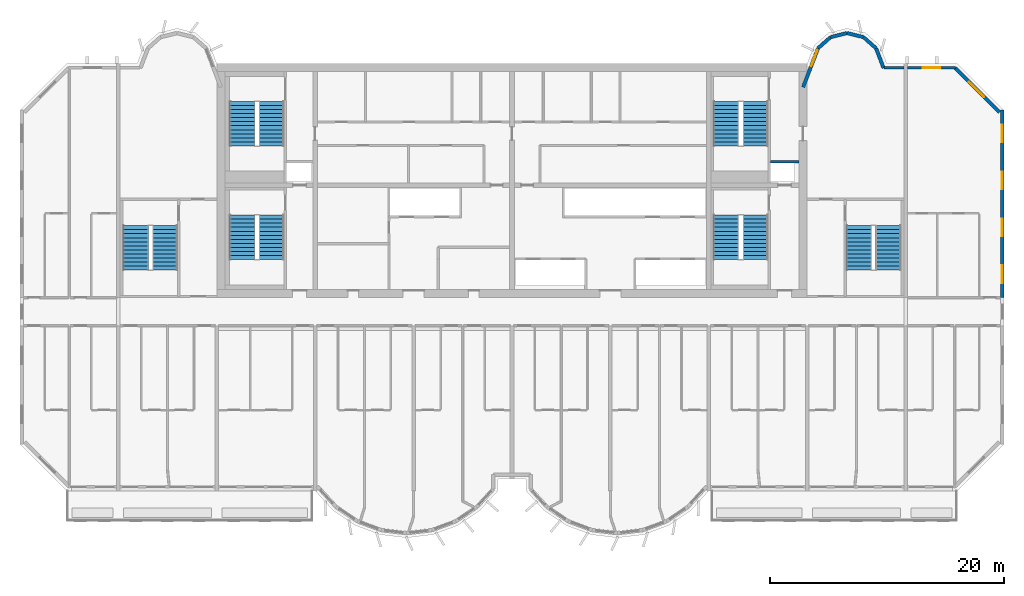
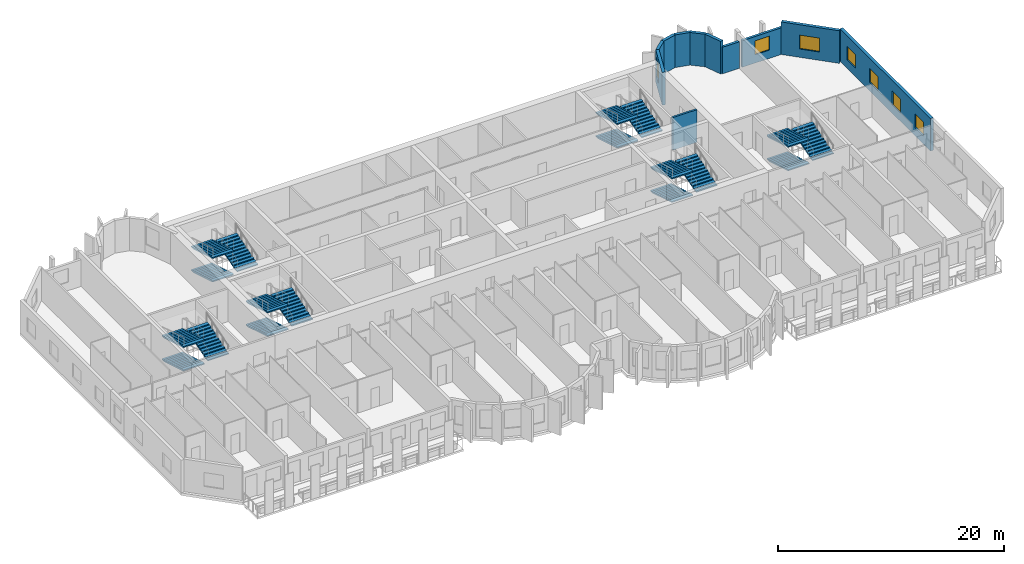
# One storey, part 10 of 13: 18 stair flights, 11 walls, 7 windows, 7 openings, 6 elements without a shape of their own.
"""IFC4 building model written with IfcOpenShell, lengths in metres."""

from ifc_helpers import new_model, si_unit, direction, frame, frame_2d, origin, place, context, subcontext, project, spatial, polyline, rectangle, outline, extrude, source, transform, mapped, material, layer, layer_set, type_object, element, fill, aggregate, save


model = new_model("IFC4")

# Units and contexts
model_context = context("Model", 3, precision=1e-05, world=origin(), true_north=direction((0.0, 1.0)))
body_context = subcontext(model_context, "Body", "Model", "MODEL_VIEW")
ifc_project = project(units=[si_unit("LENGTHUNIT", "METRE"), si_unit("AREAUNIT", "SQUARE_METRE"), si_unit("VOLUMEUNIT", "CUBIC_METRE"), si_unit("PLANEANGLEUNIT", "RADIAN"), si_unit("MASSUNIT", "GRAM", prefix="KILO")], contexts=[model_context])

# Site, building, storey
site_placement = place(None, origin())
site = spatial("IfcSite", under=ifc_project, at=site_placement, CompositionType="ELEMENT")
building_placement = place(site_placement, origin())
building = spatial("IfcBuilding", under=site, at=building_placement, Name="Vanashikhar Sky Hotel", CompositionType="ELEMENT")
storey_placement = place(building_placement, frame((0.0, 0.0, 182.0)))
storey = spatial("IfcBuildingStorey", under=building, at=storey_placement, Name="L44", CompositionType="ELEMENT", Elevation=182.0)

# Wall, openings, windows
ifc_material_1 = material(Name="Concrete M60", Category="concrete")
ifc_layer_1 = layer(ifc_material_1, 0.300048828125)
ifc_layer_set_1 = layer_set([ifc_layer_1], Name="RC shear wall 300 Concrete M60")
wall_type_1 = type_object("IfcWallType", Name="RC shear wall 300 Concrete M60", PredefinedType="SHEAR", material=ifc_layer_set_1)
shared_shape_1 = source(origin(), body_context, "Body", "SweptSolid", [
    extrude(rectangle(XDim=16.0, YDim=0.300048828125, at=frame_2d((8.0, 0.0))), origin(), (0.0, 0.0, 1.0), 3.52001953125),
])
wall_1_placement = place(storey_placement, frame((92.25, 22.0, 0.0), z_axis=(0.0, 0.0, 1.0), x_axis=(0.0, 1.0, 0.0)))
wall_1 = element("IfcWall", 1, at=wall_1_placement, inside=storey, type_object=wall_type_1, Name="CW-L44-XW12-2", PredefinedType="SHEAR", context=body_context, shape_type="MappedRepresentation", body=[
    mapped(shared_shape_1, transform((0.0, 0.0, 0.0), scale=1.0)),
])
shared_shape_2 = source(origin(), body_context, "Body", "SweptSolid", [
    extrude(rectangle(XDim=1.5, YDim=1.5, at=frame_2d((0.75, 0.75))), frame((0.0, 0.16015625, 0.0), z_axis=(0.0, -1.0, 0.0), x_axis=(1.0, 0.0, 0.0)), (0.0, 0.0, 1.0), 0.320068359375),
])
opening_1_placement = place(wall_1_placement, frame((1.25, 0.0, 0.89990234375)))
opening_1 = element("IfcOpeningElement", 2, at=opening_1_placement, cuts=wall_1, Name="Opening WN-1", PredefinedType="OPENING", context=body_context, shape_type="MappedRepresentation", body=[
    mapped(shared_shape_2, transform((0.0, 0.0, 0.0), scale=1.0)),
])
opening_2_placement = place(wall_1_placement, frame((5.25, 0.0, 0.89990234375)))
opening_2 = element("IfcOpeningElement", 3, at=opening_2_placement, cuts=wall_1, Name="Opening WN-1", PredefinedType="OPENING", context=body_context, shape_type="MappedRepresentation", body=[
    mapped(shared_shape_2, transform((0.0, 0.0, 0.0), scale=1.0)),
])
opening_3_placement = place(wall_1_placement, frame((9.25, 0.0, 0.89990234375)))
opening_3 = element("IfcOpeningElement", 4, at=opening_3_placement, cuts=wall_1, Name="Opening WN-1", PredefinedType="OPENING", context=body_context, shape_type="MappedRepresentation", body=[
    mapped(shared_shape_2, transform((0.0, 0.0, 0.0), scale=1.0)),
])
opening_4_placement = place(wall_1_placement, frame((13.25, 0.0, 0.89990234375)))
opening_4 = element("IfcOpeningElement", 5, at=opening_4_placement, cuts=wall_1, Name="Opening WN-1", PredefinedType="OPENING", context=body_context, shape_type="MappedRepresentation", body=[
    mapped(shared_shape_2, transform((0.0, 0.0, 0.0), scale=1.0)),
])
ifc_material_2 = material(Name="Glass", Category="glass")
window_type_1 = type_object("IfcWindowType", Name="Window 1500 x 1500", PartitioningType="SINGLE_PANEL", PredefinedType="WINDOW", material=ifc_material_2)
shared_shape_3 = source(origin(), body_context, "Body", "SweptSolid", [
    extrude(rectangle(XDim=1.5, YDim=1.5, at=frame_2d((0.75, 0.75))), frame((0.0, 0.030029296875, 0.0), z_axis=(0.0, -1.0, 0.0), x_axis=(1.0, 0.0, 0.0)), (0.0, 0.0, 1.0), 0.06005859375),
])
window_1_placement = place(opening_1_placement, origin())
window_1 = element("IfcWindow", 6, at=window_1_placement, inside=storey, type_object=window_type_1, Name="Window WN-1", OverallHeight=1.5, OverallWidth=1.5, PartitioningType="SINGLE_PANEL", PredefinedType="WINDOW", context=body_context, shape_type="MappedRepresentation", body=[
    mapped(shared_shape_3, transform((0.0, 0.0, 0.0), scale=1.0)),
])
fill(opening_1, window_1)
window_2_placement = place(opening_2_placement, origin())
window_2 = element("IfcWindow", 7, at=window_2_placement, inside=storey, type_object=window_type_1, Name="Window WN-1", OverallHeight=1.5, OverallWidth=1.5, PartitioningType="SINGLE_PANEL", PredefinedType="WINDOW", context=body_context, shape_type="MappedRepresentation", body=[
    mapped(shared_shape_3, transform((0.0, 0.0, 0.0), scale=1.0)),
])
fill(opening_2, window_2)
window_3_placement = place(opening_3_placement, origin())
window_3 = element("IfcWindow", 8, at=window_3_placement, inside=storey, type_object=window_type_1, Name="Window WN-1", OverallHeight=1.5, OverallWidth=1.5, PartitioningType="SINGLE_PANEL", PredefinedType="WINDOW", context=body_context, shape_type="MappedRepresentation", body=[
    mapped(shared_shape_3, transform((0.0, 0.0, 0.0), scale=1.0)),
])
fill(opening_3, window_3)
window_4_placement = place(opening_4_placement, origin())
window_4 = element("IfcWindow", 9, at=window_4_placement, inside=storey, type_object=window_type_1, Name="Window WN-1", OverallHeight=1.5, OverallWidth=1.5, PartitioningType="SINGLE_PANEL", PredefinedType="WINDOW", context=body_context, shape_type="MappedRepresentation", body=[
    mapped(shared_shape_3, transform((0.0, 0.0, 0.0), scale=1.0)),
])
fill(opening_4, window_4)

# Wall, opening, window
ifc_material_3 = material(Name="Concrete M50", Category="concrete")
ifc_layer_2 = layer(ifc_material_3, 0.300048828125)
ifc_layer_set_2 = layer_set([ifc_layer_2], Name="Lobe wall 300")
wall_type_2 = type_object("IfcWallType", Name="Lobe wall 300", PredefinedType="SOLIDWALL", material=ifc_layer_set_2)
shared_shape_4 = source(origin(), body_context, "Body", "SweptSolid", [
    extrude(rectangle(XDim=5.32568359375, YDim=0.300048828125, at=frame_2d((2.662841796875, 0.0))), origin(), (0.0, 0.0, 1.0), 3.52001953125),
])
wall_2_placement = place(storey_placement, frame((92.0, 37.834228515625, 0.0), z_axis=(0.0, 0.0, 1.0), x_axis=(-0.707083859269, 0.707129702361, 0.0)))
wall_2 = element("IfcWall", 10, at=wall_2_placement, inside=storey, type_object=wall_type_2, Name="Corner wall", PredefinedType="SOLIDWALL", context=body_context, shape_type="MappedRepresentation", body=[
    mapped(shared_shape_4, transform((0.0, 0.0, 0.0), scale=1.0)),
])
shared_shape_5 = source(origin(), body_context, "Body", "SweptSolid", [
    extrude(rectangle(XDim=1.800048828125, YDim=1.5, at=frame_2d((0.89990234375, 0.75))), frame((0.0, 0.16015625, 0.0), z_axis=(0.0, -1.0, 0.0), x_axis=(1.0, 0.0, 0.0)), (0.0, 0.0, 1.0), 0.320068359375),
])
opening_5_placement = place(wall_2_placement, frame((1.8359375, 0.0, 0.89990234375)))
opening_5 = element("IfcOpeningElement", 11, at=opening_5_placement, cuts=wall_2, Name="Opening WN-4", PredefinedType="OPENING", context=body_context, shape_type="MappedRepresentation", body=[
    mapped(shared_shape_5, transform((0.0, 0.0, 0.0), scale=1.0)),
])
window_type_2 = type_object("IfcWindowType", Name="Corner window 1800 x 1500", PartitioningType="SINGLE_PANEL", PredefinedType="WINDOW", material=ifc_material_2)
shared_shape_6 = source(origin(), body_context, "Body", "SweptSolid", [
    extrude(rectangle(XDim=1.800048828125, YDim=1.5, at=frame_2d((0.89990234375, 0.75))), frame((0.0, 0.030029296875, 0.0), z_axis=(0.0, -1.0, 0.0), x_axis=(1.0, 0.0, 0.0)), (0.0, 0.0, 1.0), 0.06005859375),
])
window_5_placement = place(opening_5_placement, origin())
window_5 = element("IfcWindow", 12, at=window_5_placement, inside=storey, type_object=window_type_2, Name="Window WN-4", OverallHeight=1.5, OverallWidth=1.800048828125, PartitioningType="SINGLE_PANEL", PredefinedType="WINDOW", context=body_context, shape_type="MappedRepresentation", body=[
    mapped(shared_shape_6, transform((0.0, 0.0, 0.0), scale=1.0)),
])
fill(opening_5, window_5)

shared_shape_7 = source(origin(), body_context, "Body", "SweptSolid", [
    extrude(rectangle(XDim=3.55908203125, YDim=0.300048828125, at=frame_2d((1.779541015625, 0.0))), origin(), (0.0, 0.0, 1.0), 3.52001953125),
])
wall_3_placement = place(storey_placement, frame((76.5234375, 43.2919921875, 0.0), z_axis=(0.0, 0.0, 1.0), x_axis=(-0.35779745313, -0.933799219604, 0.0)))
wall_3 = element("IfcWall", 13, at=wall_3_placement, inside=storey, type_object=wall_type_2, Name="Lobe wall", PredefinedType="SOLIDWALL", context=body_context, shape_type="MappedRepresentation", body=[
    mapped(shared_shape_7, transform((0.0, 0.0, 0.0), scale=1.0)),
])
shared_shape_8 = source(origin(), body_context, "Body", "SweptSolid", [
    extrude(rectangle(XDim=1.5, YDim=2.0, at=frame_2d((0.75, 1.0))), frame((0.0, 0.16015625, 0.0), z_axis=(0.0, -1.0, 0.0), x_axis=(1.0, 0.0, 0.0)), (0.0, 0.0, 1.0), 0.320068359375),
])
opening_6_placement = place(wall_3_placement, frame((0.156005859375, 0.0, 0.89990234375)))
opening_6 = element("IfcOpeningElement", 14, at=opening_6_placement, cuts=wall_3, Name="Opening WN-2", PredefinedType="OPENING", context=body_context, shape_type="MappedRepresentation", body=[
    mapped(shared_shape_8, transform((0.0, 0.0, 0.0), scale=1.0)),
])
window_type_3 = type_object("IfcWindowType", Name="Lobe window 1500 x 2000", PartitioningType="SINGLE_PANEL", PredefinedType="WINDOW", material=ifc_material_2)
shared_shape_9 = source(origin(), body_context, "Body", "SweptSolid", [
    extrude(rectangle(XDim=1.5, YDim=2.0, at=frame_2d((0.75, 1.0))), frame((0.0, 0.030029296875, 0.0), z_axis=(0.0, -1.0, 0.0), x_axis=(1.0, 0.0, 0.0)), (0.0, 0.0, 1.0), 0.06005859375),
])
window_6_placement = place(opening_6_placement, origin())
window_6 = element("IfcWindow", 15, at=window_6_placement, inside=storey, type_object=window_type_3, Name="Window WN-2", OverallHeight=2.0, OverallWidth=1.5, PartitioningType="SINGLE_PANEL", PredefinedType="WINDOW", context=body_context, shape_type="MappedRepresentation", body=[
    mapped(shared_shape_9, transform((0.0, 0.0, 0.0), scale=1.0)),
])
fill(opening_6, window_6)

# Walls
shared_shape_10 = source(origin(), body_context, "Body", "SweptSolid", [
    extrude(rectangle(XDim=1.438720703125, YDim=0.300048828125, at=frame_2d((0.71923828125, 0.0))), origin(), (0.0, 0.0, 1.0), 3.52001953125),
])
for number, where, z_axis, x_axis, name in (
    (16, (80.397216796875, 44.2451171875, 0.0), (0.0, 0.0, 1.0), (-0.971161932466, 0.238420848351, 0.0), "Lobe wall"),
    (17, (79.0, 44.588134765625, 0.0), (0.0, 0.0, 1.0), (-0.971161932466, -0.238420848351, 0.0), "Lobe wall"),
):
    element("IfcWall", number, at=place(storey_placement, frame(where, z_axis=z_axis, x_axis=x_axis)), inside=storey, type_object=wall_type_2, Name=name, PredefinedType="SOLIDWALL", context=body_context, shape_type="MappedRepresentation", body=[
        mapped(shared_shape_10, transform((0.0, 0.0, 0.0), scale=1.0)),
    ])
shared_shape_11 = source(origin(), body_context, "Body", "SweptSolid", [
    extrude(rectangle(XDim=1.43994140625, YDim=0.300048828125, at=frame_2d((0.719970703125, 0.0))), origin(), (0.0, 0.0, 1.0), 3.52001953125),
])
for number, where, z_axis, x_axis, name in (
    (18, (81.4765625, 43.2919921875, 0.0), (0.0, 0.0, 1.0), (-0.74957555648, 0.661918790432, 0.0), "Lobe wall"),
    (19, (77.602783203125, 44.2451171875, 0.0), (0.0, 0.0, 1.0), (-0.74957555648, -0.661918790432, 0.0), "Lobe wall"),
):
    element("IfcWall", number, at=place(storey_placement, frame(where, z_axis=z_axis, x_axis=x_axis)), inside=storey, type_object=wall_type_2, Name=name, PredefinedType="SOLIDWALL", context=body_context, shape_type="MappedRepresentation", body=[
        mapped(shared_shape_11, transform((0.0, 0.0, 0.0), scale=1.0)),
    ])
shared_shape_12 = source(origin(), body_context, "Body", "SweptSolid", [
    extrude(rectangle(XDim=1.81201171875, YDim=0.300048828125, at=frame_2d((0.906005859375, 0.0))), origin(), (0.0, 0.0, 1.0), 3.52001953125),
])
wall_4_placement = place(storey_placement, frame((82.125, 41.60009765625, 0.0), z_axis=(0.0, 0.0, 1.0), x_axis=(-0.357877270961, 0.93376863244, 0.0)))
element("IfcWall", 20, at=wall_4_placement, inside=storey, type_object=wall_type_2, Name="Lobe wall", PredefinedType="SOLIDWALL", context=body_context, shape_type="MappedRepresentation", body=[
    mapped(shared_shape_12, transform((0.0, 0.0, 0.0), scale=1.0)),
])
ifc_layer_3 = layer(ifc_material_3, 0.25)
ifc_layer_set_3 = layer_set([ifc_layer_3], Name="Rear and end board-marked wall 250")
wall_type_3 = type_object("IfcWallType", Name="Rear and end board-marked wall 250", PredefinedType="SOLIDWALL", material=ifc_layer_set_3)
shared_shape_13 = source(origin(), body_context, "Body", "SweptSolid", [
    extrude(rectangle(XDim=1.7080078125, YDim=0.25, at=frame_2d((0.85400390625, 0.0))), origin(), (0.0, 0.0, 1.0), 2.8701171875),
])
wall_5_placement = place(storey_placement, frame((83.85009765625, 41.625, 0.0), z_axis=(0.0, 0.0, 1.0), x_axis=(-1.0, 0.0, 0.0)))
element("IfcWall", 21, at=wall_5_placement, inside=storey, type_object=wall_type_3, Name="Rear board-marked wall", PredefinedType="SOLIDWALL", context=body_context, shape_type="MappedRepresentation", body=[
    mapped(shared_shape_13, transform((0.0, 0.0, 0.0), scale=1.0)),
])

# Wall, opening, window
shared_shape_14 = source(origin(), body_context, "Body", "SweptSolid", [
    extrude(rectangle(XDim=4.0947265625, YDim=0.25, at=frame_2d((2.04736328125, 0.0))), origin(), (0.0, 0.0, 1.0), 2.8701171875),
])
wall_6_placement = place(storey_placement, frame((88.24462890625, 41.625, 0.0), z_axis=(0.0, 0.0, 1.0), x_axis=(-1.0, 0.0, 0.0)))
wall_6 = element("IfcWall", 22, at=wall_6_placement, inside=storey, type_object=wall_type_3, Name="Rear board-marked wall", PredefinedType="SOLIDWALL", context=body_context, shape_type="MappedRepresentation", body=[
    mapped(shared_shape_14, transform((0.0, 0.0, 0.0), scale=1.0)),
])
shared_shape_15 = source(origin(), body_context, "Body", "SweptSolid", [
    extrude(rectangle(XDim=1.5, YDim=1.5, at=frame_2d((0.75, 0.75))), frame((0.0, 0.135009765625, 0.0), z_axis=(0.0, -1.0, 0.0), x_axis=(1.0, 0.0, 0.0)), (0.0, 0.0, 1.0), 0.27001953125),
])
opening_7_placement = place(wall_6_placement, frame((1.29736328125, 0.0, 0.89990234375)))
opening_7 = element("IfcOpeningElement", 23, at=opening_7_placement, cuts=wall_6, Name="Opening WN-1", PredefinedType="OPENING", context=body_context, shape_type="MappedRepresentation", body=[
    mapped(shared_shape_15, transform((0.0, 0.0, 0.0), scale=1.0)),
])
window_7_placement = place(opening_7_placement, origin())
window_7 = element("IfcWindow", 24, at=window_7_placement, inside=storey, type_object=window_type_1, Name="Window WN-1", OverallHeight=1.5, OverallWidth=1.5, PartitioningType="SINGLE_PANEL", PredefinedType="WINDOW", context=body_context, shape_type="MappedRepresentation", body=[
    mapped(shared_shape_3, transform((0.0, 0.0, 0.0), scale=1.0)),
])
fill(opening_7, window_7)

# Wall
ifc_material_4 = material(Name="Concrete M40", Category="concrete")
ifc_layer_4 = layer(ifc_material_4, 0.199951171875)
ifc_layer_set_4 = layer_set([ifc_layer_4], Name="Shaft wall 200")
wall_type_4 = type_object("IfcWallType", Name="Shaft wall 200", PredefinedType="SOLIDWALL", material=ifc_layer_set_4)
shared_shape_16 = source(origin(), body_context, "Body", "SweptSolid", [
    extrude(rectangle(XDim=2.449951171875, YDim=0.199951171875, at=frame_2d((1.22509765625, 0.0))), origin(), (0.0, 0.0, 1.0), 3.52001953125),
])
wall_7_placement = place(storey_placement, frame((72.449951171875, 33.60009765625, 0.0), z_axis=(0.0, 0.0, 1.0), x_axis=(1.0, 0.0, 0.0)))
element("IfcWall", 25, at=wall_7_placement, inside=storey, type_object=wall_type_4, Name="Shaft wall 200", PredefinedType="SOLIDWALL", context=body_context, shape_type="MappedRepresentation", body=[
    mapped(shared_shape_16, transform((0.0, 0.0, 0.0), scale=1.0)),
])

# Stair, stair flights
stair_type = type_object("IfcStairType", Name="Exit stair 2150", PredefinedType="DOUBLE_RETURN_STAIR", material=ifc_material_4)
stair_1_placement = place(storey_placement, origin())
stair_1 = element("IfcStair", 26, at=stair_1_placement, inside=storey, type_object=stair_type, Name="L44 Exit stair 1", PredefinedType="DOUBLE_RETURN_STAIR")
stair_flight_type = type_object("IfcStairFlightType", Name="Stair flight 2150", PredefinedType="STRAIGHT", material=ifc_material_4)
shared_shape_17 = source(origin(), body_context, "Body", "SweptSolid", [
    extrude(outline(polyline([(0.0, 0.0), (0.0, 0.10546875), (0.345458984375, 0.10546875), (0.345458984375, 0.211181640625), (0.69091796875, 0.211181640625), (0.69091796875, 0.316650390625), (1.036376953125, 0.316650390625), (1.036376953125, 0.422119140625), (1.3818359375, 0.422119140625), (1.3818359375, 0.52783203125), (1.727294921875, 0.52783203125), (1.727294921875, 0.63330078125), (2.07275390625, 0.63330078125), (2.07275390625, 0.73876953125), (2.418212890625, 0.73876953125), (2.418212890625, 0.844482421875), (2.763671875, 0.844482421875), (2.763671875, 0.949951171875), (3.109130859375, 0.949951171875), (3.109130859375, 1.0556640625), (3.45458984375, 1.0556640625), (3.45458984375, 1.1611328125), (3.800048828125, 1.1611328125), (3.800048828125, 1.2666015625), (3.800048828125, 1.035400390625), (0.4111328125, 0.0), (0.0, 0.0)])), frame((0.0, 1.074951171875, 0.0), z_axis=(0.0, -1.0, 0.0), x_axis=(1.0, 0.0, 0.0)), (0.0, 0.0, 1.0), 2.14990234375),
])
stair_flight_1_placement = place(storey_placement, frame((27.375, 29.050048828125, 0.0), z_axis=(0.0, 0.0, 1.0), x_axis=(0.0, -1.0, 0.0)))
stair_flight_1 = element("IfcStairFlight", 27, at=stair_flight_1_placement, type_object=stair_flight_type, Name="ST-C1 flight 1", NumberOfRisers=12, NumberOfTreads=11, PredefinedType="STRAIGHT", RiserHeight=0.105555556, TreadLength=0.345454545, context=body_context, shape_type="MappedRepresentation", body=[
    mapped(shared_shape_17, transform((0.0, 0.0, 0.0), scale=1.0)),
])
stair_flight_2_placement = place(storey_placement, frame((29.875, 25.25, 1.2666015625), z_axis=(0.0, 0.0, 1.0), x_axis=(0.0, 1.0, 0.0)))
stair_flight_2 = element("IfcStairFlight", 28, at=stair_flight_2_placement, type_object=stair_flight_type, Name="ST-C1 flight 2", NumberOfRisers=12, NumberOfTreads=11, PredefinedType="STRAIGHT", RiserHeight=0.105555556, TreadLength=0.345454545, context=body_context, shape_type="MappedRepresentation", body=[
    mapped(shared_shape_17, transform((0.0, 0.0, 0.0), scale=1.0)),
])
stair_flight_3_placement = place(storey_placement, frame((27.375, 29.050048828125, 2.533447265625), z_axis=(0.0, 0.0, 1.0), x_axis=(0.0, -1.0, 0.0)))
stair_flight_3 = element("IfcStairFlight", 29, at=stair_flight_3_placement, type_object=stair_flight_type, Name="ST-C1 flight 3", NumberOfRisers=12, NumberOfTreads=11, PredefinedType="STRAIGHT", RiserHeight=0.105555556, TreadLength=0.345454545, context=body_context, shape_type="MappedRepresentation", body=[
    mapped(shared_shape_17, transform((0.0, 0.0, 0.0), scale=1.0)),
])
aggregate(stair_1, [stair_flight_1, stair_flight_2, stair_flight_3])

stair_2_placement = place(storey_placement, origin())
stair_2 = element("IfcStair", 30, at=stair_2_placement, inside=storey, type_object=stair_type, Name="L44 Exit stair 2", PredefinedType="DOUBLE_RETURN_STAIR")
stair_flight_4_placement = place(storey_placement, frame((68.675048828125, 29.050048828125, 0.0), z_axis=(0.0, 0.0, 1.0), x_axis=(0.0, -1.0, 0.0)))
stair_flight_4 = element("IfcStairFlight", 31, at=stair_flight_4_placement, type_object=stair_flight_type, Name="ST-C2 flight 1", NumberOfRisers=12, NumberOfTreads=11, PredefinedType="STRAIGHT", RiserHeight=0.105555556, TreadLength=0.345454545, context=body_context, shape_type="MappedRepresentation", body=[
    mapped(shared_shape_17, transform((0.0, 0.0, 0.0), scale=1.0)),
])
stair_flight_5_placement = place(storey_placement, frame((71.175048828125, 25.25, 1.2666015625), z_axis=(0.0, 0.0, 1.0), x_axis=(0.0, 1.0, 0.0)))
stair_flight_5 = element("IfcStairFlight", 32, at=stair_flight_5_placement, type_object=stair_flight_type, Name="ST-C2 flight 2", NumberOfRisers=12, NumberOfTreads=11, PredefinedType="STRAIGHT", RiserHeight=0.105555556, TreadLength=0.345454545, context=body_context, shape_type="MappedRepresentation", body=[
    mapped(shared_shape_17, transform((0.0, 0.0, 0.0), scale=1.0)),
])
stair_flight_6_placement = place(storey_placement, frame((68.675048828125, 29.050048828125, 2.533447265625), z_axis=(0.0, 0.0, 1.0), x_axis=(0.0, -1.0, 0.0)))
stair_flight_6 = element("IfcStairFlight", 33, at=stair_flight_6_placement, type_object=stair_flight_type, Name="ST-C2 flight 3", NumberOfRisers=12, NumberOfTreads=11, PredefinedType="STRAIGHT", RiserHeight=0.105555556, TreadLength=0.345454545, context=body_context, shape_type="MappedRepresentation", body=[
    mapped(shared_shape_17, transform((0.0, 0.0, 0.0), scale=1.0)),
])
aggregate(stair_2, [stair_flight_4, stair_flight_5, stair_flight_6])

stair_3_placement = place(storey_placement, origin())
stair_3 = element("IfcStair", 34, at=stair_3_placement, inside=storey, type_object=stair_type, Name="L44 Exit stair 3", PredefinedType="DOUBLE_RETURN_STAIR")
stair_flight_7_placement = place(storey_placement, frame((18.27490234375, 28.14990234375, 0.0), z_axis=(0.0, 0.0, 1.0), x_axis=(0.0, -1.0, 0.0)))
stair_flight_7 = element("IfcStairFlight", 35, at=stair_flight_7_placement, type_object=stair_flight_type, Name="ST-W flight 1", NumberOfRisers=12, NumberOfTreads=11, PredefinedType="STRAIGHT", RiserHeight=0.105555556, TreadLength=0.345454545, context=body_context, shape_type="MappedRepresentation", body=[
    mapped(shared_shape_17, transform((0.0, 0.0, 0.0), scale=1.0)),
])
stair_flight_8_placement = place(storey_placement, frame((20.77490234375, 24.35009765625, 1.2666015625), z_axis=(0.0, 0.0, 1.0), x_axis=(0.0, 1.0, 0.0)))
stair_flight_8 = element("IfcStairFlight", 36, at=stair_flight_8_placement, type_object=stair_flight_type, Name="ST-W flight 2", NumberOfRisers=12, NumberOfTreads=11, PredefinedType="STRAIGHT", RiserHeight=0.105555556, TreadLength=0.345454545, context=body_context, shape_type="MappedRepresentation", body=[
    mapped(shared_shape_17, transform((0.0, 0.0, 0.0), scale=1.0)),
])
stair_flight_9_placement = place(storey_placement, frame((18.27490234375, 28.14990234375, 2.533447265625), z_axis=(0.0, 0.0, 1.0), x_axis=(0.0, -1.0, 0.0)))
stair_flight_9 = element("IfcStairFlight", 37, at=stair_flight_9_placement, type_object=stair_flight_type, Name="ST-W flight 3", NumberOfRisers=12, NumberOfTreads=11, PredefinedType="STRAIGHT", RiserHeight=0.105555556, TreadLength=0.345454545, context=body_context, shape_type="MappedRepresentation", body=[
    mapped(shared_shape_17, transform((0.0, 0.0, 0.0), scale=1.0)),
])
aggregate(stair_3, [stair_flight_7, stair_flight_8, stair_flight_9])

stair_4_placement = place(storey_placement, origin())
stair_4 = element("IfcStair", 38, at=stair_4_placement, inside=storey, type_object=stair_type, Name="L44 Exit stair 4", PredefinedType="DOUBLE_RETURN_STAIR")
stair_flight_10_placement = place(storey_placement, frame((80.02490234375, 28.14990234375, 0.0), z_axis=(0.0, 0.0, 1.0), x_axis=(0.0, -1.0, 0.0)))
stair_flight_10 = element("IfcStairFlight", 39, at=stair_flight_10_placement, type_object=stair_flight_type, Name="ST-E flight 1", NumberOfRisers=12, NumberOfTreads=11, PredefinedType="STRAIGHT", RiserHeight=0.105555556, TreadLength=0.345454545, context=body_context, shape_type="MappedRepresentation", body=[
    mapped(shared_shape_17, transform((0.0, 0.0, 0.0), scale=1.0)),
])
stair_flight_11_placement = place(storey_placement, frame((82.52490234375, 24.35009765625, 1.2666015625), z_axis=(0.0, 0.0, 1.0), x_axis=(0.0, 1.0, 0.0)))
stair_flight_11 = element("IfcStairFlight", 40, at=stair_flight_11_placement, type_object=stair_flight_type, Name="ST-E flight 2", NumberOfRisers=12, NumberOfTreads=11, PredefinedType="STRAIGHT", RiserHeight=0.105555556, TreadLength=0.345454545, context=body_context, shape_type="MappedRepresentation", body=[
    mapped(shared_shape_17, transform((0.0, 0.0, 0.0), scale=1.0)),
])
stair_flight_12_placement = place(storey_placement, frame((80.02490234375, 28.14990234375, 2.533447265625), z_axis=(0.0, 0.0, 1.0), x_axis=(0.0, -1.0, 0.0)))
stair_flight_12 = element("IfcStairFlight", 41, at=stair_flight_12_placement, type_object=stair_flight_type, Name="ST-E flight 3", NumberOfRisers=12, NumberOfTreads=11, PredefinedType="STRAIGHT", RiserHeight=0.105555556, TreadLength=0.345454545, context=body_context, shape_type="MappedRepresentation", body=[
    mapped(shared_shape_17, transform((0.0, 0.0, 0.0), scale=1.0)),
])
aggregate(stair_4, [stair_flight_10, stair_flight_11, stair_flight_12])

stair_5_placement = place(storey_placement, origin())
stair_5 = element("IfcStair", 42, at=stair_5_placement, inside=storey, type_object=stair_type, Name="L44 Exit stair 5", PredefinedType="DOUBLE_RETURN_STAIR")
stair_flight_13_placement = place(storey_placement, frame((27.375, 38.75, 0.0), z_axis=(0.0, 0.0, 1.0), x_axis=(0.0, -1.0, 0.0)))
stair_flight_13 = element("IfcStairFlight", 43, at=stair_flight_13_placement, type_object=stair_flight_type, Name="ST-C3 flight 1", NumberOfRisers=12, NumberOfTreads=11, PredefinedType="STRAIGHT", RiserHeight=0.105555556, TreadLength=0.345454545, context=body_context, shape_type="MappedRepresentation", body=[
    mapped(shared_shape_17, transform((0.0, 0.0, 0.0), scale=1.0)),
])
stair_flight_14_placement = place(storey_placement, frame((29.875, 34.949951171875, 1.2666015625), z_axis=(0.0, 0.0, 1.0), x_axis=(0.0, 1.0, 0.0)))
stair_flight_14 = element("IfcStairFlight", 44, at=stair_flight_14_placement, type_object=stair_flight_type, Name="ST-C3 flight 2", NumberOfRisers=12, NumberOfTreads=11, PredefinedType="STRAIGHT", RiserHeight=0.105555556, TreadLength=0.345454545, context=body_context, shape_type="MappedRepresentation", body=[
    mapped(shared_shape_17, transform((0.0, 0.0, 0.0), scale=1.0)),
])
stair_flight_15_placement = place(storey_placement, frame((27.375, 38.75, 2.533447265625), z_axis=(0.0, 0.0, 1.0), x_axis=(0.0, -1.0, 0.0)))
stair_flight_15 = element("IfcStairFlight", 45, at=stair_flight_15_placement, type_object=stair_flight_type, Name="ST-C3 flight 3", NumberOfRisers=12, NumberOfTreads=11, PredefinedType="STRAIGHT", RiserHeight=0.105555556, TreadLength=0.345454545, context=body_context, shape_type="MappedRepresentation", body=[
    mapped(shared_shape_17, transform((0.0, 0.0, 0.0), scale=1.0)),
])
aggregate(stair_5, [stair_flight_13, stair_flight_14, stair_flight_15])

stair_6_placement = place(storey_placement, origin())
stair_6 = element("IfcStair", 46, at=stair_6_placement, inside=storey, type_object=stair_type, Name="L44 Exit stair 6", PredefinedType="DOUBLE_RETURN_STAIR")
stair_flight_16_placement = place(storey_placement, frame((68.675048828125, 38.75, 0.0), z_axis=(0.0, 0.0, 1.0), x_axis=(0.0, -1.0, 0.0)))
stair_flight_16 = element("IfcStairFlight", 47, at=stair_flight_16_placement, type_object=stair_flight_type, Name="ST-C4 flight 1", NumberOfRisers=12, NumberOfTreads=11, PredefinedType="STRAIGHT", RiserHeight=0.105555556, TreadLength=0.345454545, context=body_context, shape_type="MappedRepresentation", body=[
    mapped(shared_shape_17, transform((0.0, 0.0, 0.0), scale=1.0)),
])
stair_flight_17_placement = place(storey_placement, frame((71.175048828125, 34.949951171875, 1.2666015625), z_axis=(0.0, 0.0, 1.0), x_axis=(0.0, 1.0, 0.0)))
stair_flight_17 = element("IfcStairFlight", 48, at=stair_flight_17_placement, type_object=stair_flight_type, Name="ST-C4 flight 2", NumberOfRisers=12, NumberOfTreads=11, PredefinedType="STRAIGHT", RiserHeight=0.105555556, TreadLength=0.345454545, context=body_context, shape_type="MappedRepresentation", body=[
    mapped(shared_shape_17, transform((0.0, 0.0, 0.0), scale=1.0)),
])
stair_flight_18_placement = place(storey_placement, frame((68.675048828125, 38.75, 2.533447265625), z_axis=(0.0, 0.0, 1.0), x_axis=(0.0, -1.0, 0.0)))
stair_flight_18 = element("IfcStairFlight", 49, at=stair_flight_18_placement, type_object=stair_flight_type, Name="ST-C4 flight 3", NumberOfRisers=12, NumberOfTreads=11, PredefinedType="STRAIGHT", RiserHeight=0.105555556, TreadLength=0.345454545, context=body_context, shape_type="MappedRepresentation", body=[
    mapped(shared_shape_17, transform((0.0, 0.0, 0.0), scale=1.0)),
])
aggregate(stair_6, [stair_flight_16, stair_flight_17, stair_flight_18])

save(model, "model.ifc")
